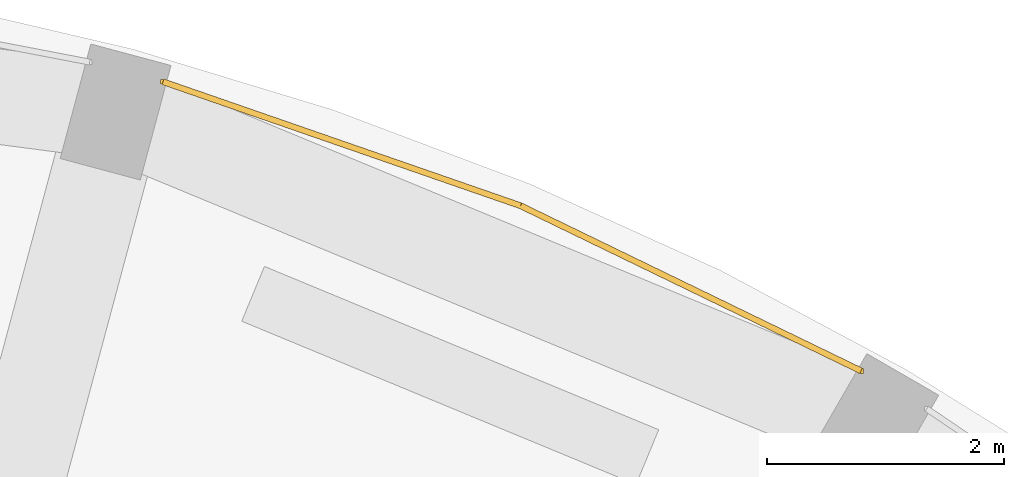
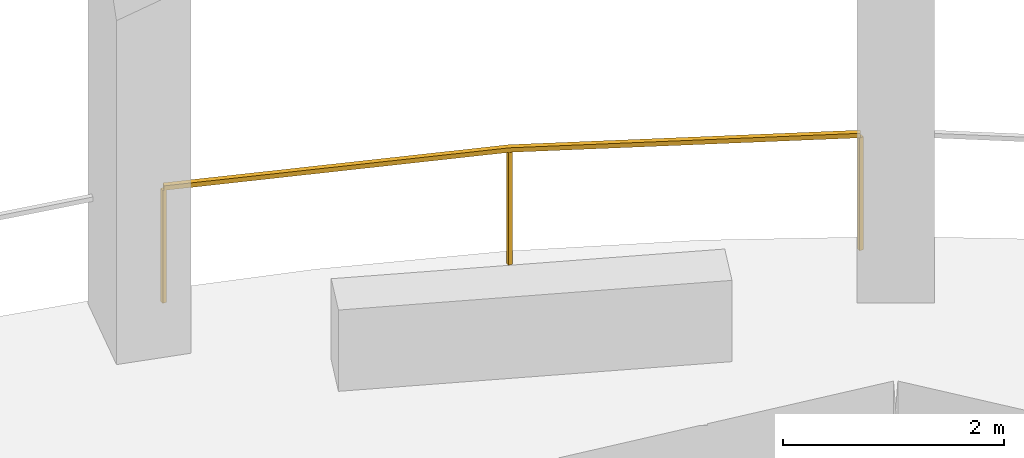
# One storey, part 9 of 9: 1 railing.
"""IFC4 building model written with IfcOpenShell, lengths in metres."""

import ifcopenshell
import ifcopenshell.guid

model = None  # the IFC model being written
_history = None  # IfcOwnerHistory: only IFC2X3 demands one
_inside = {}  # id of a spatial element -> (the spatial element, [elements in it])
_under = {}  # id of a project, library or spatial element -> (it, [spatial elements below it])
_declared = {}  # id of a project -> (the project, [libraries it declares])
_typed = {}  # id of a type object -> (the type object, [elements of that type])
_made_of = {}  # id of a material, layer set ... -> (it, [elements and type objects made of it])


def new_model(schema):
    """Start an empty IFC model of exactly this schema.

    Asked for "IFC4X3", IfcOpenShell would pick the latest addendum, in which some entities
    have other attributes; the version numbers below select the first issue.
    IFC2X3 requires an IfcOwnerHistory on every rooted entity: one is made here for all.
    """
    global model, _history
    if schema == "IFC4X3":
        model = ifcopenshell.file(schema_version=(4, 3, 0, 0))
    else:
        model = ifcopenshell.file(schema=schema)
    _inside.clear()
    _under.clear()
    _declared.clear()
    _typed.clear()
    _made_of.clear()
    _history = None
    if model.schema == "IFC2X3":
        org = make("IfcOrganization", Name="unknown")
        user = make(
            "IfcPersonAndOrganization",
            ThePerson=make("IfcPerson", FamilyName="unknown"),
            TheOrganization=org,
        )
        app = make(
            "IfcApplication",
            ApplicationDeveloper=org,
            Version="unknown",
            ApplicationFullName="unknown",
            ApplicationIdentifier="unknown",
        )
        _history = make(
            "IfcOwnerHistory",
            OwningUser=user,
            OwningApplication=app,
            ChangeAction="ADDED",
            CreationDate=0,
        )
    return model


def make(cls, **values):
    """One entity of the class cls with the attributes given. An attribute that is None is left unset."""
    return model.create_entity(
        cls, **{name: value for name, value in values.items() if value is not None}
    )


def rooted(cls, **values):
    """An entity with a GlobalId (a new one), such as an element, a storey or a relation."""
    return make(cls, GlobalId=ifcopenshell.guid.new(), OwnerHistory=_history, **values)


def si_unit(unit_type, name, prefix=None):
    """IfcSIUnit, for example si_unit("LENGTHUNIT", "METRE", prefix="MILLI")."""
    return make("IfcSIUnit", UnitType=unit_type, Prefix=prefix, Name=name)


def assignment(units):
    """IfcUnitAssignment: the units of a project."""
    return None if units is None else make("IfcUnitAssignment", Units=units)


def point(xyz):
    """IfcCartesianPoint."""
    return None if xyz is None else make("IfcCartesianPoint", Coordinates=xyz)


def direction(xyz):
    """IfcDirection."""
    return None if xyz is None else make("IfcDirection", DirectionRatios=xyz)


def frame(location, z_axis=None, x_axis=None):
    """IfcAxis2Placement3D, a coordinate frame: its origin and axes. An axis left out is left unset."""
    return make(
        "IfcAxis2Placement3D",
        Location=point(location),
        Axis=direction(z_axis),
        RefDirection=direction(x_axis),
    )


def frame_2d(location, x_axis=None):
    """IfcAxis2Placement2D, a coordinate frame in the plane: its origin and x axis."""
    return make(
        "IfcAxis2Placement2D", Location=point(location), RefDirection=direction(x_axis)
    )


def origin():
    """The frame at (0, 0, 0) with its axes left unset."""
    return frame((0.0, 0.0, 0.0))


def origin_2d():
    """The frame at (0, 0) in the plane with its x axis left unset."""
    return frame_2d((0.0, 0.0))


def place(relative_to, where):
    """IfcLocalPlacement: puts the frame where relative to a parent placement (None: the world)."""
    return make(
        "IfcLocalPlacement", PlacementRelTo=relative_to, RelativePlacement=where
    )


def context(
    kind, dimensions, precision=None, world=None, true_north=None, identifier=None
):
    """IfcGeometricRepresentationContext, for example the 3D "Model" context."""
    return make(
        "IfcGeometricRepresentationContext",
        ContextIdentifier=identifier,
        ContextType=kind,
        CoordinateSpaceDimension=dimensions,
        Precision=precision,
        WorldCoordinateSystem=world,
        TrueNorth=true_north,
    )


def subcontext(parent, identifier, kind, view, scale=None):
    """IfcGeometricRepresentationSubContext, for example "Body" below "Model"."""
    return make(
        "IfcGeometricRepresentationSubContext",
        ContextIdentifier=identifier,
        ContextType=kind,
        ParentContext=parent,
        TargetScale=scale,
        TargetView=view,
    )


def project(units=None, contexts=None):
    """IfcProject with its units and contexts."""
    return rooted(
        "IfcProject",
        Name="project",
        RepresentationContexts=contexts,
        UnitsInContext=assignment(units),
    )


def spatial(cls, under=None, at=None, **own):
    """A site, building, storey or space (cls), placed at a placement, below another one or the project."""
    s = rooted(cls, ObjectPlacement=at, **own)
    if under is not None:
        _under.setdefault(under.id(), (under, []))[1].append(s)
    return s


def profile(cls, at=None, kind="AREA", **sizes):
    """A parametric profile (cls). Its sizes go by their IFC names, for example OverallWidth=200.0."""
    return make(cls, ProfileType=kind, Position=at, **sizes)


def rectangle(**sizes):
    """IfcRectangleProfileDef."""
    return profile("IfcRectangleProfileDef", **sizes)


def extrude(swept, where, along, depth):
    """IfcExtrudedAreaSolid: the profile swept, set in the frame where, extruded along a direction by depth."""
    return make(
        "IfcExtrudedAreaSolid",
        SweptArea=swept,
        Position=where,
        ExtrudedDirection=direction(along),
        Depth=depth,
    )


def shape(context_of_items, identifier, shape_type, items):
    """IfcShapeRepresentation: the items that make up one representation, for example the "Body"."""
    return make(
        "IfcShapeRepresentation",
        ContextOfItems=context_of_items,
        RepresentationIdentifier=identifier,
        RepresentationType=shape_type,
        Items=items,
    )


def material(Name=None, Category=None):
    """IfcMaterial."""
    return make("IfcMaterial", Name=Name, Category=Category)


def made_of(thing, what):
    """Note that an element or type object is made of a material, layer set ...; save() writes the relation."""
    if what is not None:
        _made_of.setdefault(what.id(), (what, []))[1].append(thing)
    return thing


def type_object(cls, material=None, **own):
    """A type object (cls), such as IfcWallType, which elements share."""
    return made_of(rooted(cls, **own), material)


def element(
    cls,
    number,
    at=None,
    inside=None,
    cuts=None,
    type_object=None,
    material=None,
    context=None,
    identifier="Body",
    shape_type=None,
    held_by="IfcProductDefinitionShape",
    body=None,
    shapes=None,
    **own,
):
    """One element of the class cls, such as IfcWall. Its Tag is "e" and its number.

    at: its placement. inside: the storey or other place that contains it. cuts: it is an
    opening in that element (IfcRelVoidsElement). A single representation is given by context,
    identifier, shape_type and body (its items); several are given by shapes. held_by: the class
    of the entity that holds the representations. save() writes the other relations.
    """
    e = rooted(cls, Tag="e%d" % number, ObjectPlacement=at, **own)
    if body is not None:
        shapes = [shape(context, identifier, shape_type, body)]
    if shapes is not None:
        e.Representation = make(held_by, Representations=shapes)
    if inside is not None:
        _inside.setdefault(inside.id(), (inside, []))[1].append(e)
    if cuts is not None:
        rooted(
            "IfcRelVoidsElement", RelatingBuildingElement=cuts, RelatedOpeningElement=e
        )
    if type_object is not None:
        _typed.setdefault(type_object.id(), (type_object, []))[1].append(e)
    return made_of(e, material)


def aggregate(whole, parts):
    """IfcRelAggregates: a whole, such as a stair, and the parts it consists of."""
    return rooted("IfcRelAggregates", RelatingObject=whole, RelatedObjects=parts)


def save(model, path):
    """Write the relations noted so far, then the file.

    IfcRelAggregates (storeys below a building ...), IfcRelContainedInSpatialStructure (elements
    in a storey), IfcRelDefinesByType, IfcRelAssociatesMaterial and IfcRelDeclares: one each for
    every whole, place, type object, material and project.
    """
    for whole, parts in _under.values():
        aggregate(whole, parts)
    for where, things in _inside.values():
        rooted(
            "IfcRelContainedInSpatialStructure",
            RelatedElements=things,
            RelatingStructure=where,
        )
    for kind, things in _typed.values():
        rooted("IfcRelDefinesByType", RelatedObjects=things, RelatingType=kind)
    for what, things in _made_of.values():
        rooted("IfcRelAssociatesMaterial", RelatedObjects=things, RelatingMaterial=what)
    for by, libraries in _declared.values():
        rooted("IfcRelDeclares", RelatingContext=by, RelatedDefinitions=libraries)
    model.write(path)


model = new_model("IFC4")

# Units and contexts
model_context = context("Model", 3, precision=1e-05, world=origin(), true_north=direction((0.0, 1.0)))
body_context = subcontext(model_context, "Body", "Model", "MODEL_VIEW")
ifc_project = project(units=[si_unit("LENGTHUNIT", "METRE"), si_unit("AREAUNIT", "SQUARE_METRE"), si_unit("VOLUMEUNIT", "CUBIC_METRE"), si_unit("PLANEANGLEUNIT", "RADIAN"), si_unit("MASSUNIT", "GRAM", prefix="KILO")], contexts=[model_context])

# Site, building, storey
site_placement = place(None, origin())
site = spatial("IfcSite", under=ifc_project, at=site_placement, CompositionType="ELEMENT")
building_placement = place(site_placement, origin())
building = spatial("IfcBuilding", under=site, at=building_placement, Name="Torre Triforio", CompositionType="ELEMENT")
storey_placement = place(building_placement, frame((0.0, 0.0, 47.0)))
storey = spatial("IfcBuildingStorey", under=building, at=storey_placement, Name="L09", CompositionType="ELEMENT", Elevation=47.0)

# Railing
ifc_material = material(Name="Stainless steel AISI 316", Category="steel")
railing_type = type_object("IfcRailingType", Name="Loggia guard 1300", PredefinedType="GUARDRAIL", material=ifc_material)
railing_placement = place(storey_placement, frame((13.14794921875, 23.412841796875, 0.0)))
element("IfcRailing", 1, at=railing_placement, inside=storey, type_object=railing_type, Name="Loggia guard L09 bay 05", PredefinedType="GUARDRAIL", context=body_context, shape_type="SweptSolid", body=[
    extrude(rectangle(XDim=0.050048828125, YDim=0.050048828125, at=origin_2d()), frame((0.0, 0.0, 1.27490234375), z_axis=(-0.899760432952, 0.436384192305, 0.0), x_axis=(-0.436384192305, -0.899760432952, 0.0)), (0.0, 0.0, 1.0), 3.19287109375),
    extrude(rectangle(XDim=0.050048828125, YDim=0.050048828125, at=origin_2d()), frame((-2.872802734375, 1.393310546875, 1.27490234375), z_axis=(-0.94480685358, 0.327627852034, 0.0), x_axis=(-0.327627852034, -0.94480685358, 0.0)), (0.0, 0.0, 1.0), 3.193115234375),
    extrude(rectangle(XDim=0.0400390625, YDim=0.0400390625, at=origin_2d()), origin(), (0.0, 0.0, 1.0), 1.25),
    extrude(rectangle(XDim=0.0400390625, YDim=0.0400390625, at=origin_2d()), frame((-2.872802734375, 1.393310546875, 0.0)), (0.0, 0.0, 1.0), 1.25),
    extrude(rectangle(XDim=0.0400390625, YDim=0.0400390625, at=origin_2d()), frame((-5.8896484375, 2.439453125, 0.0)), (0.0, 0.0, 1.0), 1.25),
])

save(model, "model.ifc")
